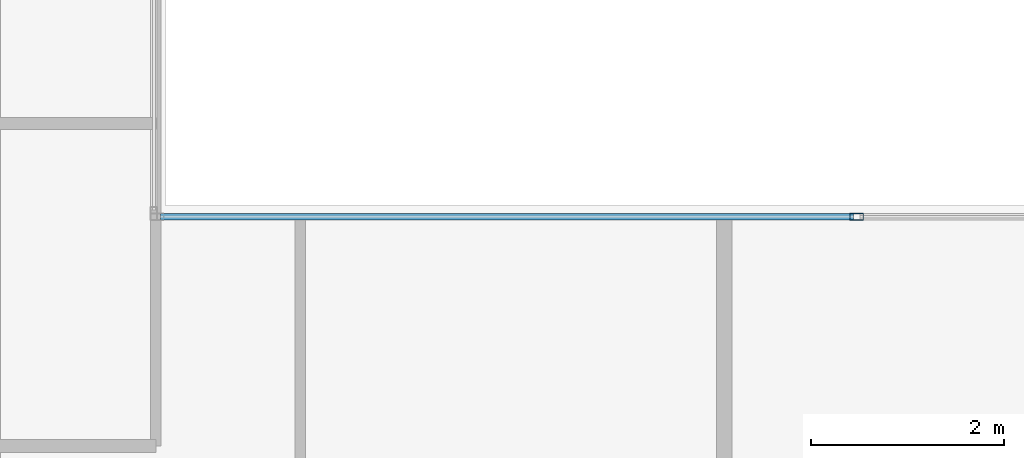
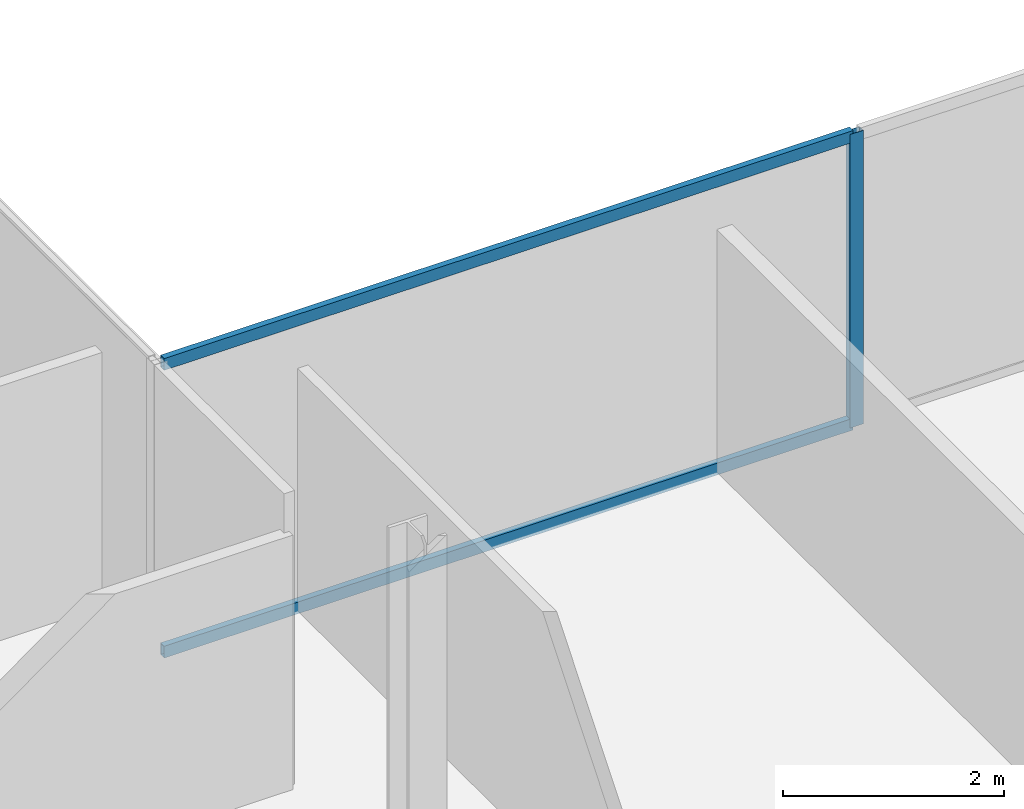
# One storey, part 9 of 23: 3 members, 1 element without a shape of its own.
"""IFC4 building model written with IfcOpenShell, lengths in metres."""

import ifcopenshell
import ifcopenshell.guid

model = None  # the IFC model being written
_history = None  # IfcOwnerHistory: only IFC2X3 demands one
_inside = {}  # id of a spatial element -> (the spatial element, [elements in it])
_under = {}  # id of a project, library or spatial element -> (it, [spatial elements below it])
_declared = {}  # id of a project -> (the project, [libraries it declares])
_typed = {}  # id of a type object -> (the type object, [elements of that type])
_made_of = {}  # id of a material, layer set ... -> (it, [elements and type objects made of it])


def new_model(schema):
    """Start an empty IFC model of exactly this schema.

    Asked for "IFC4X3", IfcOpenShell would pick the latest addendum, in which some entities
    have other attributes; the version numbers below select the first issue.
    IFC2X3 requires an IfcOwnerHistory on every rooted entity: one is made here for all.
    """
    global model, _history
    if schema == "IFC4X3":
        model = ifcopenshell.file(schema_version=(4, 3, 0, 0))
    else:
        model = ifcopenshell.file(schema=schema)
    _inside.clear()
    _under.clear()
    _declared.clear()
    _typed.clear()
    _made_of.clear()
    _history = None
    if model.schema == "IFC2X3":
        org = make("IfcOrganization", Name="unknown")
        user = make(
            "IfcPersonAndOrganization",
            ThePerson=make("IfcPerson", FamilyName="unknown"),
            TheOrganization=org,
        )
        app = make(
            "IfcApplication",
            ApplicationDeveloper=org,
            Version="unknown",
            ApplicationFullName="unknown",
            ApplicationIdentifier="unknown",
        )
        _history = make(
            "IfcOwnerHistory",
            OwningUser=user,
            OwningApplication=app,
            ChangeAction="ADDED",
            CreationDate=0,
        )
    return model


def make(cls, **values):
    """One entity of the class cls with the attributes given. An attribute that is None is left unset."""
    return model.create_entity(
        cls, **{name: value for name, value in values.items() if value is not None}
    )


def rooted(cls, **values):
    """An entity with a GlobalId (a new one), such as an element, a storey or a relation."""
    return make(cls, GlobalId=ifcopenshell.guid.new(), OwnerHistory=_history, **values)


def si_unit(unit_type, name, prefix=None):
    """IfcSIUnit, for example si_unit("LENGTHUNIT", "METRE", prefix="MILLI")."""
    return make("IfcSIUnit", UnitType=unit_type, Prefix=prefix, Name=name)


def assignment(units):
    """IfcUnitAssignment: the units of a project."""
    return None if units is None else make("IfcUnitAssignment", Units=units)


def point(xyz):
    """IfcCartesianPoint."""
    return None if xyz is None else make("IfcCartesianPoint", Coordinates=xyz)


def direction(xyz):
    """IfcDirection."""
    return None if xyz is None else make("IfcDirection", DirectionRatios=xyz)


def frame(location, z_axis=None, x_axis=None):
    """IfcAxis2Placement3D, a coordinate frame: its origin and axes. An axis left out is left unset."""
    return make(
        "IfcAxis2Placement3D",
        Location=point(location),
        Axis=direction(z_axis),
        RefDirection=direction(x_axis),
    )


def frame_2d(location, x_axis=None):
    """IfcAxis2Placement2D, a coordinate frame in the plane: its origin and x axis."""
    return make(
        "IfcAxis2Placement2D", Location=point(location), RefDirection=direction(x_axis)
    )


def origin():
    """The frame at (0, 0, 0) with its axes left unset."""
    return frame((0.0, 0.0, 0.0))


def origin_2d():
    """The frame at (0, 0) in the plane with its x axis left unset."""
    return frame_2d((0.0, 0.0))


def place(relative_to, where):
    """IfcLocalPlacement: puts the frame where relative to a parent placement (None: the world)."""
    return make(
        "IfcLocalPlacement", PlacementRelTo=relative_to, RelativePlacement=where
    )


def context(
    kind, dimensions, precision=None, world=None, true_north=None, identifier=None
):
    """IfcGeometricRepresentationContext, for example the 3D "Model" context."""
    return make(
        "IfcGeometricRepresentationContext",
        ContextIdentifier=identifier,
        ContextType=kind,
        CoordinateSpaceDimension=dimensions,
        Precision=precision,
        WorldCoordinateSystem=world,
        TrueNorth=true_north,
    )


def subcontext(parent, identifier, kind, view, scale=None):
    """IfcGeometricRepresentationSubContext, for example "Body" below "Model"."""
    return make(
        "IfcGeometricRepresentationSubContext",
        ContextIdentifier=identifier,
        ContextType=kind,
        ParentContext=parent,
        TargetScale=scale,
        TargetView=view,
    )


def project(units=None, contexts=None):
    """IfcProject with its units and contexts."""
    return rooted(
        "IfcProject",
        Name="project",
        RepresentationContexts=contexts,
        UnitsInContext=assignment(units),
    )


def spatial(cls, under=None, at=None, **own):
    """A site, building, storey or space (cls), placed at a placement, below another one or the project."""
    s = rooted(cls, ObjectPlacement=at, **own)
    if under is not None:
        _under.setdefault(under.id(), (under, []))[1].append(s)
    return s


def profile(cls, at=None, kind="AREA", **sizes):
    """A parametric profile (cls). Its sizes go by their IFC names, for example OverallWidth=200.0."""
    return make(cls, ProfileType=kind, Position=at, **sizes)


def hollow_rectangle(**sizes):
    """IfcRectangleHollowProfileDef."""
    return profile("IfcRectangleHollowProfileDef", **sizes)


def extrude(swept, where, along, depth):
    """IfcExtrudedAreaSolid: the profile swept, set in the frame where, extruded along a direction by depth."""
    return make(
        "IfcExtrudedAreaSolid",
        SweptArea=swept,
        Position=where,
        ExtrudedDirection=direction(along),
        Depth=depth,
    )


def shape(context_of_items, identifier, shape_type, items):
    """IfcShapeRepresentation: the items that make up one representation, for example the "Body"."""
    return make(
        "IfcShapeRepresentation",
        ContextOfItems=context_of_items,
        RepresentationIdentifier=identifier,
        RepresentationType=shape_type,
        Items=items,
    )


def material(Name=None, Category=None):
    """IfcMaterial."""
    return make("IfcMaterial", Name=Name, Category=Category)


def material_profile(
    of_material, cross_section, Name=None, Category=None, Priority=None
):
    """IfcMaterialProfile: a cross section and its material."""
    return make(
        "IfcMaterialProfile",
        Name=Name,
        Material=of_material,
        Profile=cross_section,
        Priority=Priority,
        Category=Category,
    )


def profile_set(profiles, Name=None, composite=None):
    """IfcMaterialProfileSet."""
    return make(
        "IfcMaterialProfileSet",
        Name=Name,
        MaterialProfiles=profiles,
        CompositeProfile=composite,
    )


def made_of(thing, what):
    """Note that an element or type object is made of a material, layer set ...; save() writes the relation."""
    if what is not None:
        _made_of.setdefault(what.id(), (what, []))[1].append(thing)
    return thing


def type_object(cls, material=None, **own):
    """A type object (cls), such as IfcWallType, which elements share."""
    return made_of(rooted(cls, **own), material)


def element(
    cls,
    number,
    at=None,
    inside=None,
    cuts=None,
    type_object=None,
    material=None,
    context=None,
    identifier="Body",
    shape_type=None,
    held_by="IfcProductDefinitionShape",
    body=None,
    shapes=None,
    **own,
):
    """One element of the class cls, such as IfcWall. Its Tag is "e" and its number.

    at: its placement. inside: the storey or other place that contains it. cuts: it is an
    opening in that element (IfcRelVoidsElement). A single representation is given by context,
    identifier, shape_type and body (its items); several are given by shapes. held_by: the class
    of the entity that holds the representations. save() writes the other relations.
    """
    e = rooted(cls, Tag="e%d" % number, ObjectPlacement=at, **own)
    if body is not None:
        shapes = [shape(context, identifier, shape_type, body)]
    if shapes is not None:
        e.Representation = make(held_by, Representations=shapes)
    if inside is not None:
        _inside.setdefault(inside.id(), (inside, []))[1].append(e)
    if cuts is not None:
        rooted(
            "IfcRelVoidsElement", RelatingBuildingElement=cuts, RelatedOpeningElement=e
        )
    if type_object is not None:
        _typed.setdefault(type_object.id(), (type_object, []))[1].append(e)
    return made_of(e, material)


def aggregate(whole, parts):
    """IfcRelAggregates: a whole, such as a stair, and the parts it consists of."""
    return rooted("IfcRelAggregates", RelatingObject=whole, RelatedObjects=parts)


def save(model, path):
    """Write the relations noted so far, then the file.

    IfcRelAggregates (storeys below a building ...), IfcRelContainedInSpatialStructure (elements
    in a storey), IfcRelDefinesByType, IfcRelAssociatesMaterial and IfcRelDeclares: one each for
    every whole, place, type object, material and project.
    """
    for whole, parts in _under.values():
        aggregate(whole, parts)
    for where, things in _inside.values():
        rooted(
            "IfcRelContainedInSpatialStructure",
            RelatedElements=things,
            RelatingStructure=where,
        )
    for kind, things in _typed.values():
        rooted("IfcRelDefinesByType", RelatedObjects=things, RelatingType=kind)
    for what, things in _made_of.values():
        rooted("IfcRelAssociatesMaterial", RelatedObjects=things, RelatingMaterial=what)
    for by, libraries in _declared.values():
        rooted("IfcRelDeclares", RelatingContext=by, RelatedDefinitions=libraries)
    model.write(path)


model = new_model("IFC4")

# Units and contexts
model_context = context("Model", 3, precision=1e-05, world=origin(), true_north=direction((0.0, 1.0)))
body_context = subcontext(model_context, "Body", "Model", "MODEL_VIEW")
ifc_project = project(units=[si_unit("LENGTHUNIT", "METRE"), si_unit("AREAUNIT", "SQUARE_METRE"), si_unit("VOLUMEUNIT", "CUBIC_METRE"), si_unit("PLANEANGLEUNIT", "RADIAN"), si_unit("MASSUNIT", "GRAM", prefix="KILO")], contexts=[model_context])

# Site, building, storey
site_placement = place(None, origin())
site = spatial("IfcSite", under=ifc_project, at=site_placement, CompositionType="ELEMENT")
building_placement = place(site_placement, origin())
building = spatial("IfcBuilding", under=site, at=building_placement, Name="Cobrela Telecom Tower", CompositionType="ELEMENT")
storey_placement = place(building_placement, frame((0.0, 0.0, 286.64990234375)))
storey = spatial("IfcBuildingStorey", under=building, at=storey_placement, Name="L75", CompositionType="ELEMENT", Elevation=286.64990234375)

# Curtain wall, members
ifc_material = material(Name="Anodized Bronze Aluminium 6063-T6", Category="aluminium")
curtain_wall_type = type_object("IfcCurtainWallType", Name="CW-SYS-OFF-HI", PredefinedType="USERDEFINED", material=ifc_material)
curtain_wall_placement = place(storey_placement, origin())
curtain_wall = element("IfcCurtainWall", 1, at=curtain_wall_placement, inside=storey, type_object=curtain_wall_type, Name="L75 Unitised Bronze Curtain Wall 09", ObjectType="UNITISED CURTAIN WALL", PredefinedType="USERDEFINED")
ifc_material_profile_1 = material_profile(ifc_material, hollow_rectangle(XDim=0.070068359375, YDim=0.139892578125, WallThickness=0.00390625, at=origin_2d()), Name="ALU 70x140x4")
ifc_profile_set_1 = profile_set([ifc_material_profile_1], Name="Anodized Bronze Aluminium 6063-T6")
member_type_1 = type_object("IfcMemberType", Name="CW-SYS-OFF-HI-MUL", PredefinedType="MULLION", material=ifc_profile_set_1)
member_1_placement = place(storey_placement, frame((28.1767578125, 25.080078125, 0.0), z_axis=(0.0, 0.0, 1.0), x_axis=(0.0, 1.0, 0.0)))
member_1 = element("IfcMember", 2, at=member_1_placement, type_object=member_type_1, Name="CW-OFF-HI mullion 2", PredefinedType="MULLION", context=body_context, shape_type="SweptSolid", body=[
    extrude(hollow_rectangle(XDim=0.070068359375, YDim=0.139892578125, WallThickness=0.00390625, at=origin_2d()), origin(), (0.0, 0.0, 1.0), 3.239990234375),
])
ifc_material_profile_2 = material_profile(ifc_material, hollow_rectangle(XDim=0.06494140625, YDim=0.1298828125, WallThickness=0.00390625, at=origin_2d()), Name="ALU 65x130x4")
ifc_profile_set_2 = profile_set([ifc_material_profile_2], Name="Anodized Bronze Aluminium 6063-T6")
member_type_2 = type_object("IfcMemberType", Name="CW-SYS-OFF-HI-TRN", PredefinedType="USERDEFINED", material=ifc_profile_set_2)
member_2_placement = place(storey_placement, frame((20.949951171875, 25.080078125, 0.03271484375), z_axis=(1.0, 0.0, 0.0), x_axis=(0.0, 1.0, 0.0)))
member_2 = element("IfcMember", 3, at=member_2_placement, type_object=member_type_2, Name="CW-OFF-HI transom 1.1", ObjectType="TRANSOM", PredefinedType="USERDEFINED", context=body_context, shape_type="SweptSolid", body=[
    extrude(hollow_rectangle(XDim=0.06494140625, YDim=0.1298828125, WallThickness=0.00390625, at=origin_2d()), origin(), (0.0, 0.0, 1.0), 7.191650390625),
])
member_3_placement = place(storey_placement, frame((20.949951171875, 25.080078125, 3.20751953125), z_axis=(1.0, 0.0, 0.0), x_axis=(0.0, 1.0, 0.0)))
member_3 = element("IfcMember", 4, at=member_3_placement, type_object=member_type_2, Name="CW-OFF-HI transom 1.2", ObjectType="TRANSOM", PredefinedType="USERDEFINED", context=body_context, shape_type="SweptSolid", body=[
    extrude(hollow_rectangle(XDim=0.06494140625, YDim=0.1298828125, WallThickness=0.00390625, at=origin_2d()), origin(), (0.0, 0.0, 1.0), 7.191650390625),
])
aggregate(curtain_wall, [member_1, member_2, member_3])

save(model, "model.ifc")
